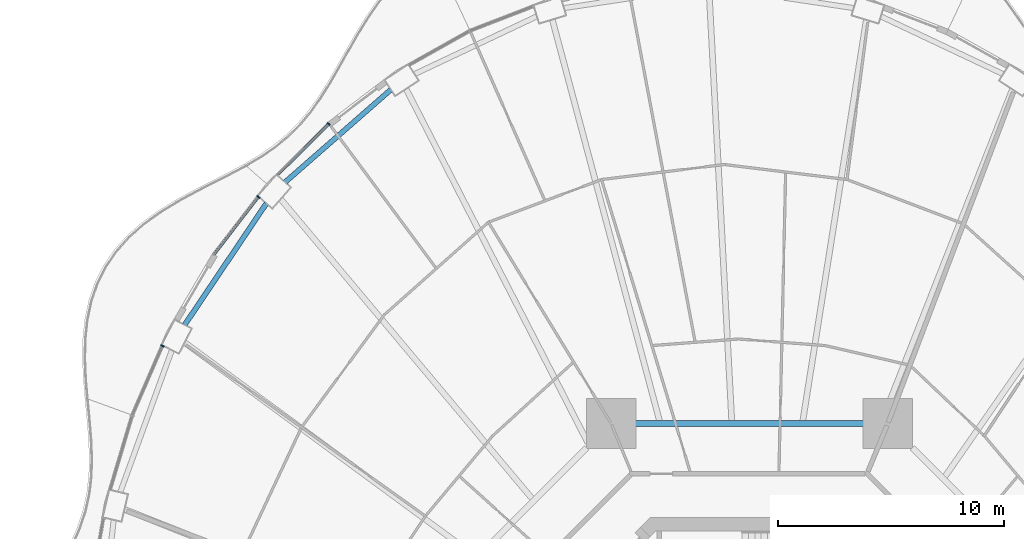
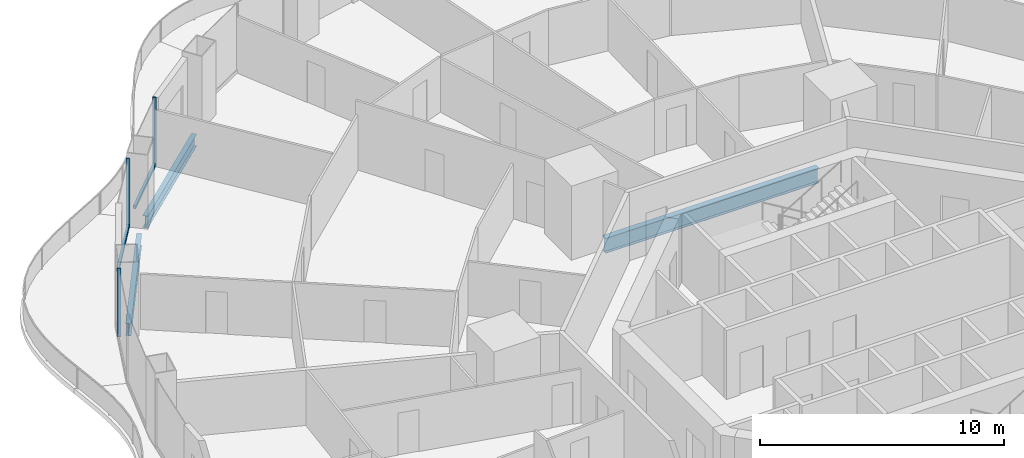
# One storey, part 8 of 22: 5 members, 3 beams, 3 elements without a shape of their own.
"""IFC4 building model written with IfcOpenShell, lengths in metres."""

import ifcopenshell
import ifcopenshell.guid

model = None  # the IFC model being written
_history = None  # IfcOwnerHistory: only IFC2X3 demands one
_inside = {}  # id of a spatial element -> (the spatial element, [elements in it])
_under = {}  # id of a project, library or spatial element -> (it, [spatial elements below it])
_declared = {}  # id of a project -> (the project, [libraries it declares])
_typed = {}  # id of a type object -> (the type object, [elements of that type])
_made_of = {}  # id of a material, layer set ... -> (it, [elements and type objects made of it])


def new_model(schema):
    """Start an empty IFC model of exactly this schema.

    Asked for "IFC4X3", IfcOpenShell would pick the latest addendum, in which some entities
    have other attributes; the version numbers below select the first issue.
    IFC2X3 requires an IfcOwnerHistory on every rooted entity: one is made here for all.
    """
    global model, _history
    if schema == "IFC4X3":
        model = ifcopenshell.file(schema_version=(4, 3, 0, 0))
    else:
        model = ifcopenshell.file(schema=schema)
    _inside.clear()
    _under.clear()
    _declared.clear()
    _typed.clear()
    _made_of.clear()
    _history = None
    if model.schema == "IFC2X3":
        org = make("IfcOrganization", Name="unknown")
        user = make(
            "IfcPersonAndOrganization",
            ThePerson=make("IfcPerson", FamilyName="unknown"),
            TheOrganization=org,
        )
        app = make(
            "IfcApplication",
            ApplicationDeveloper=org,
            Version="unknown",
            ApplicationFullName="unknown",
            ApplicationIdentifier="unknown",
        )
        _history = make(
            "IfcOwnerHistory",
            OwningUser=user,
            OwningApplication=app,
            ChangeAction="ADDED",
            CreationDate=0,
        )
    return model


def make(cls, **values):
    """One entity of the class cls with the attributes given. An attribute that is None is left unset."""
    return model.create_entity(
        cls, **{name: value for name, value in values.items() if value is not None}
    )


def rooted(cls, **values):
    """An entity with a GlobalId (a new one), such as an element, a storey or a relation."""
    return make(cls, GlobalId=ifcopenshell.guid.new(), OwnerHistory=_history, **values)


def si_unit(unit_type, name, prefix=None):
    """IfcSIUnit, for example si_unit("LENGTHUNIT", "METRE", prefix="MILLI")."""
    return make("IfcSIUnit", UnitType=unit_type, Prefix=prefix, Name=name)


def assignment(units):
    """IfcUnitAssignment: the units of a project."""
    return None if units is None else make("IfcUnitAssignment", Units=units)


def point(xyz):
    """IfcCartesianPoint."""
    return None if xyz is None else make("IfcCartesianPoint", Coordinates=xyz)


def direction(xyz):
    """IfcDirection."""
    return None if xyz is None else make("IfcDirection", DirectionRatios=xyz)


def frame(location, z_axis=None, x_axis=None):
    """IfcAxis2Placement3D, a coordinate frame: its origin and axes. An axis left out is left unset."""
    return make(
        "IfcAxis2Placement3D",
        Location=point(location),
        Axis=direction(z_axis),
        RefDirection=direction(x_axis),
    )


def frame_2d(location, x_axis=None):
    """IfcAxis2Placement2D, a coordinate frame in the plane: its origin and x axis."""
    return make(
        "IfcAxis2Placement2D", Location=point(location), RefDirection=direction(x_axis)
    )


def origin():
    """The frame at (0, 0, 0) with its axes left unset."""
    return frame((0.0, 0.0, 0.0))


def origin_2d():
    """The frame at (0, 0) in the plane with its x axis left unset."""
    return frame_2d((0.0, 0.0))


def place(relative_to, where):
    """IfcLocalPlacement: puts the frame where relative to a parent placement (None: the world)."""
    return make(
        "IfcLocalPlacement", PlacementRelTo=relative_to, RelativePlacement=where
    )


def context(
    kind, dimensions, precision=None, world=None, true_north=None, identifier=None
):
    """IfcGeometricRepresentationContext, for example the 3D "Model" context."""
    return make(
        "IfcGeometricRepresentationContext",
        ContextIdentifier=identifier,
        ContextType=kind,
        CoordinateSpaceDimension=dimensions,
        Precision=precision,
        WorldCoordinateSystem=world,
        TrueNorth=true_north,
    )


def subcontext(parent, identifier, kind, view, scale=None):
    """IfcGeometricRepresentationSubContext, for example "Body" below "Model"."""
    return make(
        "IfcGeometricRepresentationSubContext",
        ContextIdentifier=identifier,
        ContextType=kind,
        ParentContext=parent,
        TargetScale=scale,
        TargetView=view,
    )


def project(units=None, contexts=None):
    """IfcProject with its units and contexts."""
    return rooted(
        "IfcProject",
        Name="project",
        RepresentationContexts=contexts,
        UnitsInContext=assignment(units),
    )


def spatial(cls, under=None, at=None, **own):
    """A site, building, storey or space (cls), placed at a placement, below another one or the project."""
    s = rooted(cls, ObjectPlacement=at, **own)
    if under is not None:
        _under.setdefault(under.id(), (under, []))[1].append(s)
    return s


def profile(cls, at=None, kind="AREA", **sizes):
    """A parametric profile (cls). Its sizes go by their IFC names, for example OverallWidth=200.0."""
    return make(cls, ProfileType=kind, Position=at, **sizes)


def rectangle(**sizes):
    """IfcRectangleProfileDef."""
    return profile("IfcRectangleProfileDef", **sizes)


def i_section(**sizes):
    """IfcIShapeProfileDef."""
    return profile("IfcIShapeProfileDef", **sizes)


def extrude(swept, where, along, depth):
    """IfcExtrudedAreaSolid: the profile swept, set in the frame where, extruded along a direction by depth."""
    return make(
        "IfcExtrudedAreaSolid",
        SweptArea=swept,
        Position=where,
        ExtrudedDirection=direction(along),
        Depth=depth,
    )


def shape(context_of_items, identifier, shape_type, items):
    """IfcShapeRepresentation: the items that make up one representation, for example the "Body"."""
    return make(
        "IfcShapeRepresentation",
        ContextOfItems=context_of_items,
        RepresentationIdentifier=identifier,
        RepresentationType=shape_type,
        Items=items,
    )


def material(Name=None, Category=None):
    """IfcMaterial."""
    return make("IfcMaterial", Name=Name, Category=Category)


def layer(
    of_material, thickness, ventilated=None, Name=None, Category=None, Priority=None
):
    """IfcMaterialLayer: one layer of a wall or slab, of a material (None: an air gap)."""
    return make(
        "IfcMaterialLayer",
        Material=of_material,
        LayerThickness=thickness,
        IsVentilated=ventilated,
        Name=Name,
        Category=Category,
        Priority=Priority,
    )


def layer_set(layers, Name=None):
    """IfcMaterialLayerSet."""
    return make("IfcMaterialLayerSet", MaterialLayers=layers, LayerSetName=Name)


def material_profile(
    of_material, cross_section, Name=None, Category=None, Priority=None
):
    """IfcMaterialProfile: a cross section and its material."""
    return make(
        "IfcMaterialProfile",
        Name=Name,
        Material=of_material,
        Profile=cross_section,
        Priority=Priority,
        Category=Category,
    )


def profile_set(profiles, Name=None, composite=None):
    """IfcMaterialProfileSet."""
    return make(
        "IfcMaterialProfileSet",
        Name=Name,
        MaterialProfiles=profiles,
        CompositeProfile=composite,
    )


def made_of(thing, what):
    """Note that an element or type object is made of a material, layer set ...; save() writes the relation."""
    if what is not None:
        _made_of.setdefault(what.id(), (what, []))[1].append(thing)
    return thing


def type_object(cls, material=None, **own):
    """A type object (cls), such as IfcWallType, which elements share."""
    return made_of(rooted(cls, **own), material)


def element(
    cls,
    number,
    at=None,
    inside=None,
    cuts=None,
    type_object=None,
    material=None,
    context=None,
    identifier="Body",
    shape_type=None,
    held_by="IfcProductDefinitionShape",
    body=None,
    shapes=None,
    **own,
):
    """One element of the class cls, such as IfcWall. Its Tag is "e" and its number.

    at: its placement. inside: the storey or other place that contains it. cuts: it is an
    opening in that element (IfcRelVoidsElement). A single representation is given by context,
    identifier, shape_type and body (its items); several are given by shapes. held_by: the class
    of the entity that holds the representations. save() writes the other relations.
    """
    e = rooted(cls, Tag="e%d" % number, ObjectPlacement=at, **own)
    if body is not None:
        shapes = [shape(context, identifier, shape_type, body)]
    if shapes is not None:
        e.Representation = make(held_by, Representations=shapes)
    if inside is not None:
        _inside.setdefault(inside.id(), (inside, []))[1].append(e)
    if cuts is not None:
        rooted(
            "IfcRelVoidsElement", RelatingBuildingElement=cuts, RelatedOpeningElement=e
        )
    if type_object is not None:
        _typed.setdefault(type_object.id(), (type_object, []))[1].append(e)
    return made_of(e, material)


def aggregate(whole, parts):
    """IfcRelAggregates: a whole, such as a stair, and the parts it consists of."""
    return rooted("IfcRelAggregates", RelatingObject=whole, RelatedObjects=parts)


def save(model, path):
    """Write the relations noted so far, then the file.

    IfcRelAggregates (storeys below a building ...), IfcRelContainedInSpatialStructure (elements
    in a storey), IfcRelDefinesByType, IfcRelAssociatesMaterial and IfcRelDeclares: one each for
    every whole, place, type object, material and project.
    """
    for whole, parts in _under.values():
        aggregate(whole, parts)
    for where, things in _inside.values():
        rooted(
            "IfcRelContainedInSpatialStructure",
            RelatedElements=things,
            RelatingStructure=where,
        )
    for kind, things in _typed.values():
        rooted("IfcRelDefinesByType", RelatedObjects=things, RelatingType=kind)
    for what, things in _made_of.values():
        rooted("IfcRelAssociatesMaterial", RelatedObjects=things, RelatingMaterial=what)
    for by, libraries in _declared.values():
        rooted("IfcRelDeclares", RelatingContext=by, RelatedDefinitions=libraries)
    model.write(path)


model = new_model("IFC4")

# Units and contexts
model_context = context("Model", 3, precision=1e-05, world=origin(), true_north=direction((0.0, 1.0)))
body_context = subcontext(model_context, "Body", "Model", "MODEL_VIEW")
ifc_project = project(units=[si_unit("LENGTHUNIT", "METRE"), si_unit("AREAUNIT", "SQUARE_METRE"), si_unit("VOLUMEUNIT", "CUBIC_METRE"), si_unit("PLANEANGLEUNIT", "RADIAN"), si_unit("MASSUNIT", "GRAM", prefix="KILO")], contexts=[model_context])

# Site, building, storey
site_placement = place(None, origin())
site = spatial("IfcSite", under=ifc_project, at=site_placement, CompositionType="ELEMENT")
building_placement = place(site_placement, origin())
building = spatial("IfcBuilding", under=site, at=building_placement, Name="Nagisa Residences", CompositionType="ELEMENT")
storey_placement = place(building_placement, frame((0.0, 0.0, 91.800048828125)))
storey = spatial("IfcBuildingStorey", under=building, at=storey_placement, Name="L22", CompositionType="ELEMENT", Elevation=91.800048828125)

# Curtain wall, member
ifc_material_1 = material(Name="Concrete-coloured aluminium curtain wall system", Category="concrete")
ifc_layer = layer(ifc_material_1, 0.159912109375)
ifc_layer_set = layer_set([ifc_layer], Name="CW1 CURTAIN WALL")
curtain_wall_type = type_object("IfcCurtainWallType", Name="CW1 CURTAIN WALL", PredefinedType="NOTDEFINED", material=ifc_layer_set)
curtain_wall_1_placement = place(storey_placement, origin())
curtain_wall_1 = element("IfcCurtainWall", 1, at=curtain_wall_1_placement, inside=storey, type_object=curtain_wall_type, Name="cw:CW1:L22:17", PredefinedType="NOTDEFINED")
ifc_material_2 = material(Name="Concrete-coloured aluminium", Category="concrete")
ifc_material_profile_1 = material_profile(ifc_material_2, rectangle(XDim=0.159912109375, YDim=0.06005859375, at=origin_2d()), Name="CW1 MULLION 160x60")
ifc_profile_set_1 = profile_set([ifc_material_profile_1], Name="Concrete-coloured aluminium")
member_type_1 = type_object("IfcMemberType", Name="CW1 MULLION 160x60", PredefinedType="MULLION", material=ifc_profile_set_1)
member_1_placement = place(storey_placement, frame((-18.624267578125, 28.04248046875, 0.0), z_axis=(0.0, 0.0, 1.0), x_axis=(0.706376885714, -0.707835924016, 0.0)))
member_1 = element("IfcMember", 2, at=member_1_placement, type_object=member_type_1, Name="CW1 mullion", PredefinedType="MULLION", context=body_context, shape_type="SweptSolid", body=[
    extrude(rectangle(XDim=0.159912109375, YDim=0.06005859375, at=origin_2d()), origin(), (0.0, 0.0, 1.0), 3.43994140625),
])

curtain_wall_2_placement = place(storey_placement, origin())
curtain_wall_2 = element("IfcCurtainWall", 3, at=curtain_wall_2_placement, inside=storey, type_object=curtain_wall_type, Name="cw:CW1:L22:18", PredefinedType="NOTDEFINED")
member_2_placement = place(storey_placement, frame((-21.735107421875, 24.814697265625, 0.0), z_axis=(0.0, 0.0, 1.0), x_axis=(0.792070340816, -0.610429828235, 0.0)))
member_2 = element("IfcMember", 4, at=member_2_placement, type_object=member_type_1, Name="CW1 mullion", PredefinedType="MULLION", context=body_context, shape_type="SweptSolid", body=[
    extrude(rectangle(XDim=0.159912109375, YDim=0.06005859375, at=origin_2d()), origin(), (0.0, 0.0, 1.0), 3.43994140625),
])

curtain_wall_3_placement = place(storey_placement, origin())
curtain_wall_3 = element("IfcCurtainWall", 5, at=curtain_wall_3_placement, inside=storey, type_object=curtain_wall_type, Name="cw:CW1:L22:20", PredefinedType="NOTDEFINED")
member_3_placement = place(storey_placement, frame((-25.9814453125, 18.219482421875, 0.0), z_axis=(0.0, 0.0, 1.0), x_axis=(0.917543276295, -0.397635934147, 0.0)))
member_3 = element("IfcMember", 6, at=member_3_placement, type_object=member_type_1, Name="CW1 mullion", PredefinedType="MULLION", context=body_context, shape_type="SweptSolid", body=[
    extrude(rectangle(XDim=0.159912109375, YDim=0.06005859375, at=origin_2d()), origin(), (0.0, 0.0, 1.0), 3.43994140625),
])
aggregate(curtain_wall_3, [member_3])

# Member
ifc_material_3 = material(Name="Concrete-coloured aluminium", Category="concrete")
ifc_material_profile_2 = material_profile(ifc_material_3, rectangle(XDim=0.1201171875, YDim=0.14990234375, at=origin_2d()), Name="CW1 TRANSOM 120x150")
ifc_profile_set_2 = profile_set([ifc_material_profile_2], Name="Concrete-coloured aluminium")
member_type_2 = type_object("IfcMemberType", Name="CW1 TRANSOM 120x150", PredefinedType="USERDEFINED", material=ifc_profile_set_2)
member_4_placement = place(storey_placement, frame((-18.60302734375, 28.0634765625, 0.074951171875), z_axis=(-0.707869817944, -0.706342920149, 0.0), x_axis=(0.706342920149, -0.707869817944, 0.0)))
member_4 = element("IfcMember", 7, at=member_4_placement, type_object=member_type_2, Name="CW1 transom", ObjectType="TRANSOM", PredefinedType="USERDEFINED", context=body_context, shape_type="SweptSolid", body=[
    extrude(rectangle(XDim=0.1201171875, YDim=0.14990234375, at=origin_2d()), origin(), (0.0, 0.0, 1.0), 3.19775390625),
])

aggregate(curtain_wall_1, [member_1, member_4])

member_5_placement = place(storey_placement, frame((-21.716796875, 24.83837890625, 0.074951171875), z_axis=(-0.61041202934, -0.792084057684, 0.0), x_axis=(0.792084057684, -0.61041202934, 0.0)))
member_5 = element("IfcMember", 8, at=member_5_placement, type_object=member_type_2, Name="CW1 transom", ObjectType="TRANSOM", PredefinedType="USERDEFINED", context=body_context, shape_type="SweptSolid", body=[
    extrude(rectangle(XDim=0.1201171875, YDim=0.14990234375, at=origin_2d()), origin(), (0.0, 0.0, 1.0), 3.262939453125),
])

aggregate(curtain_wall_2, [member_2, member_5])

# Beams
ifc_material_4 = material(Name="Steel ASTM A572 Gr 50", Category="steel")
ifc_material_profile_3 = material_profile(ifc_material_4, i_section(OverallWidth=0.264892578125, OverallDepth=0.7529296875, WebThickness=0.01318359375, FlangeThickness=0.01708984375, at=origin_2d()), Name="W760x147")
ifc_profile_set_3 = profile_set([ifc_material_profile_3], Name="Steel ASTM A572 Gr 50")
beam_type_1 = type_object("IfcBeamType", Name="Inner ring beam W760x147", PredefinedType="BEAM", material=ifc_profile_set_3)
beam_1_placement = place(storey_placement, frame((5.04296875, 14.781982421875, -0.636474609375), z_axis=(-1.0, 0.0, 0.0), x_axis=(0.0, -1.0, 0.0)))
element("IfcBeam", 9, at=beam_1_placement, inside=storey, type_object=beam_type_1, Name="beam:L22:ib2", PredefinedType="BEAM", context=body_context, shape_type="SweptSolid", body=[
    extrude(i_section(OverallWidth=0.264892578125, OverallDepth=0.7529296875, WebThickness=0.01318359375, FlangeThickness=0.01708984375, at=origin_2d()), origin(), (0.0, 0.0, 1.0), 10.0859375),
])
ifc_material_5 = material(Name="Steel ASTM A572 Gr 50", Category="steel")
ifc_material_profile_4 = material_profile(ifc_material_5, i_section(OverallWidth=0.22802734375, OverallDepth=0.60302734375, WebThickness=0.010498046875, FlangeThickness=0.014892578125, at=origin_2d()), Name="W610x101")
ifc_profile_set_4 = profile_set([ifc_material_profile_4], Name="Steel ASTM A572 Gr 50")
beam_type_2 = type_object("IfcBeamType", Name="Perimeter ring beam W610x101", PredefinedType="BEAM", material=ifc_profile_set_4)
beam_2_placement = place(storey_placement, frame((-15.876220703125, 29.55859375, -0.5615234375), z_axis=(-0.752542612886, -0.658543556488, 0.0), x_axis=(0.658543556488, -0.752542612886, 0.0)))
element("IfcBeam", 10, at=beam_2_placement, inside=storey, type_object=beam_type_2, Name="beam:L22:pb09", PredefinedType="BEAM", context=body_context, shape_type="SweptSolid", body=[
    extrude(i_section(OverallWidth=0.22802734375, OverallDepth=0.60302734375, WebThickness=0.010498046875, FlangeThickness=0.014892578125, at=origin_2d()), origin(), (0.0, 0.0, 1.0), 6.212646484375),
])
beam_3_placement = place(storey_placement, frame((-21.384521484375, 24.521484375, -0.5615234375), z_axis=(-0.558221079259, -0.829692248168, 0.0), x_axis=(0.829692248168, -0.558221079259, 0.0)))
element("IfcBeam", 11, at=beam_3_placement, inside=storey, type_object=beam_type_2, Name="beam:L22:pb10", PredefinedType="BEAM", context=body_context, shape_type="SweptSolid", body=[
    extrude(i_section(OverallWidth=0.22802734375, OverallDepth=0.60302734375, WebThickness=0.010498046875, FlangeThickness=0.014892578125, at=origin_2d()), origin(), (0.0, 0.0, 1.0), 6.471435546875),
])

save(model, "model.ifc")
